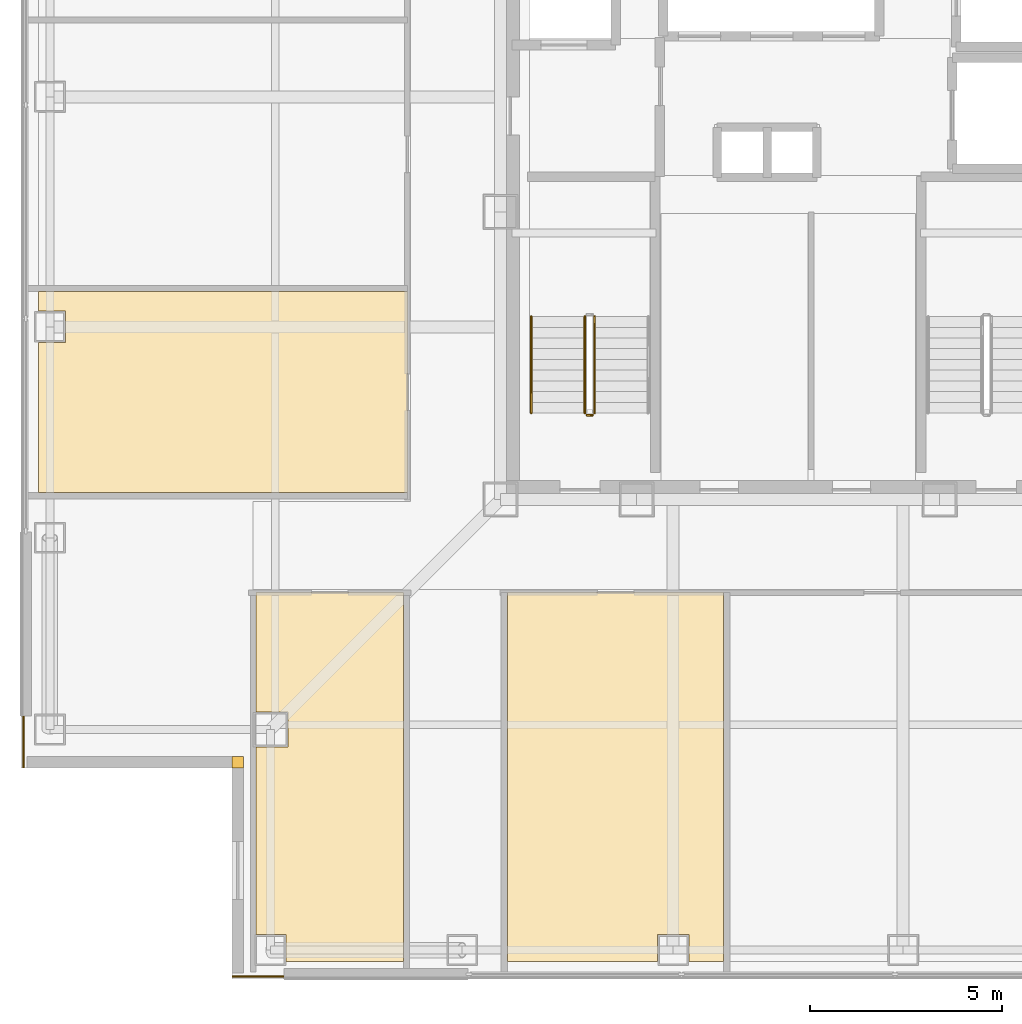
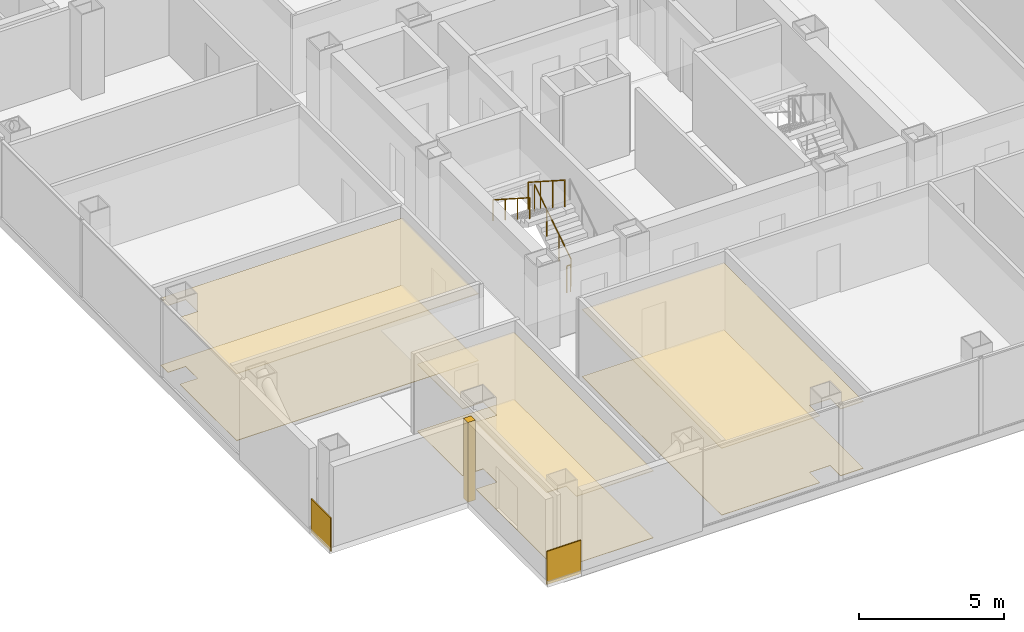
# One storey, part 12 of 17: 9 coverings, 4 railings.
"""IFC4 building model written with IfcOpenShell, lengths in metres."""

from ifc_helpers import new_model, si_unit, direction, frame, frame_2d, origin, origin_2d, place, context, subcontext, project, spatial, polyline, rectangle, circle, outline, extrude, material, layer, layer_set, type_object, element, save


model = new_model("IFC4")

# Units and contexts
model_context = context("Model", 3, precision=1e-05, world=origin(), true_north=direction((0.0, 1.0)))
body_context = subcontext(model_context, "Body", "Model", "MODEL_VIEW")
ifc_project = project(units=[si_unit("LENGTHUNIT", "METRE"), si_unit("AREAUNIT", "SQUARE_METRE"), si_unit("VOLUMEUNIT", "CUBIC_METRE"), si_unit("PLANEANGLEUNIT", "RADIAN"), si_unit("MASSUNIT", "GRAM", prefix="KILO")], contexts=[model_context])

# Site, building, storey
site_placement = place(None, origin())
site = spatial("IfcSite", under=ifc_project, at=site_placement, CompositionType="ELEMENT")
building_placement = place(site_placement, origin())
building = spatial("IfcBuilding", under=site, at=building_placement, Name="Trevonay Congress Spire", CompositionType="ELEMENT")
storey_placement = place(building_placement, frame((0.0, 0.0, 213.0)))
storey = spatial("IfcBuildingStorey", under=building, at=storey_placement, Name="L55", CompositionType="ELEMENT", Elevation=213.0)

# Coverings
ifc_material_1 = material(Name="Acoustic Mineral Fibre Board", Category="gypsum")
ifc_layer_1 = layer(ifc_material_1, 0.02490234375, Name="Acoustic Mineral Fibre Board")
ifc_layer_set_1 = layer_set([ifc_layer_1], Name="Acoustic Mineral Fibre Board")
covering_type_1 = type_object("IfcCoveringType", Name="COV-CEIL-ACOUSTIC", PredefinedType="CEILING", material=ifc_layer_set_1)
covering_1_placement = place(storey_placement, frame((0.0, 0.0, 2.81005859375)))
element("IfcCovering", 1, at=covering_1_placement, inside=storey, type_object=covering_type_1, Name="L55 Chief Risk Officer Office acoustic suspended ceiling", PredefinedType="CEILING", context=body_context, shape_type="SweptSolid", body=[
    extrude(outline(polyline([(-13.8701171875, -9.929931640625), (-10.030029296875, -9.929931640625), (-10.030029296875, -19.550048828125), (-13.090087890625, -19.550048828125), (-13.090087890625, -18.840087890625), (-13.8701171875, -18.840087890625), (-13.8701171875, -13.9599609375), (-13.0400390625, -13.9599609375), (-13.0400390625, -13.0400390625), (-13.8701171875, -13.0400390625), (-13.8701171875, -9.929931640625)])), origin(), (0.0, 0.0, 1.0), 0.02490234375),
])
covering_2_placement = place(storey_placement, frame((0.0, 0.0, 2.81005859375)))
element("IfcCovering", 2, at=covering_2_placement, inside=storey, type_object=covering_type_1, Name="L55 Fixed-Income Quant Office acoustic suspended ceiling", PredefinedType="CEILING", context=body_context, shape_type="SweptSolid", body=[
    extrude(outline(polyline([(-7.320068359375, -19.550048828125), (-7.320068359375, -9.929931640625), (-1.679931640625, -9.929931640625), (-1.679931640625, -19.550048828125), (-2.590087890625, -19.550048828125), (-2.590087890625, -18.840087890625), (-3.409912109375, -18.840087890625), (-3.409912109375, -19.550048828125), (-7.320068359375, -19.550048828125)])), origin(), (0.0, 0.0, 1.0), 0.02490234375),
])
covering_3_placement = place(storey_placement, frame((0.0, 0.0, 2.81005859375)))
element("IfcCovering", 3, at=covering_3_placement, inside=storey, type_object=covering_type_1, Name="L55 Client Briefing Room acoustic suspended ceiling", PredefinedType="CEILING", context=body_context, shape_type="SweptSolid", body=[
    extrude(outline(polyline([(-19.550048828125, -2.080078125), (-9.929931640625, -2.080078125), (-9.929931640625, -7.320068359375), (-19.550048828125, -7.320068359375), (-19.550048828125, -3.409912109375), (-18.840087890625, -3.409912109375), (-18.840087890625, -2.590087890625), (-19.550048828125, -2.590087890625), (-19.550048828125, -2.080078125)])), origin(), (0.0, 0.0, 1.0), 0.02490234375),
])
ifc_material_2 = material(Name="Engineered Oak Flooring", Category="wood")
ifc_layer_2 = layer(ifc_material_2, 0.01806640625, Name="Engineered Oak Flooring")
ifc_layer_set_2 = layer_set([ifc_layer_2], Name="Engineered Oak Flooring")
covering_type_2 = type_object("IfcCoveringType", Name="COV-FLOOR-TIMBER", PredefinedType="FLOORING", material=ifc_layer_set_2)
covering_4_placement = place(storey_placement, origin())
element("IfcCovering", 4, at=covering_4_placement, inside=storey, type_object=covering_type_2, Name="L55 Chief Risk Officer Office floor finish", PredefinedType="FLOORING", context=body_context, shape_type="SweptSolid", body=[
    extrude(outline(polyline([(-13.8701171875, -9.929931640625), (-10.030029296875, -9.929931640625), (-10.030029296875, -19.550048828125), (-13.090087890625, -19.550048828125), (-13.090087890625, -18.840087890625), (-13.8701171875, -18.840087890625), (-13.8701171875, -13.9599609375), (-13.0400390625, -13.9599609375), (-13.0400390625, -13.0400390625), (-13.8701171875, -13.0400390625), (-13.8701171875, -9.929931640625)])), origin(), (0.0, 0.0, 1.0), 0.01806640625),
])
covering_5_placement = place(storey_placement, origin())
element("IfcCovering", 5, at=covering_5_placement, inside=storey, type_object=covering_type_2, Name="L55 Fixed-Income Quant Office floor finish", PredefinedType="FLOORING", context=body_context, shape_type="SweptSolid", body=[
    extrude(outline(polyline([(-7.320068359375, -19.550048828125), (-7.320068359375, -9.929931640625), (-1.679931640625, -9.929931640625), (-1.679931640625, -19.550048828125), (-2.590087890625, -19.550048828125), (-2.590087890625, -18.840087890625), (-3.409912109375, -18.840087890625), (-3.409912109375, -19.550048828125), (-7.320068359375, -19.550048828125)])), origin(), (0.0, 0.0, 1.0), 0.01806640625),
])
covering_6_placement = place(storey_placement, origin())
element("IfcCovering", 6, at=covering_6_placement, inside=storey, type_object=covering_type_2, Name="L55 Client Briefing Room floor finish", PredefinedType="FLOORING", context=body_context, shape_type="SweptSolid", body=[
    extrude(outline(polyline([(-19.550048828125, -2.080078125), (-9.929931640625, -2.080078125), (-9.929931640625, -7.320068359375), (-19.550048828125, -7.320068359375), (-19.550048828125, -3.409912109375), (-18.840087890625, -3.409912109375), (-18.840087890625, -2.590087890625), (-19.550048828125, -2.590087890625), (-19.550048828125, -2.080078125)])), origin(), (0.0, 0.0, 1.0), 0.01806640625),
])
ifc_material_3 = material(Name="Pale Anodised Aluminium EN AW-6063-T6", Category="aluminium")
ifc_layer_3 = layer(ifc_material_3, 0.0400390625, Name="Pale Anodised Aluminium EN AW-6063-T6")
ifc_layer_set_3 = layer_set([ifc_layer_3], Name="Pale Anodised Aluminium EN AW-6063-T6")
covering_type_3 = type_object("IfcCoveringType", Name="COV-SPANDREL-PALE-METAL", PredefinedType="CLADDING", material=ifc_layer_set_3)
covering_7_placement = place(storey_placement, origin())
element("IfcCovering", 7, at=covering_7_placement, inside=storey, type_object=covering_type_3, Name="L55 SW re-entrant notch corner closure trim", PredefinedType="CLADDING", context=body_context, shape_type="SweptSolid", body=[
    extrude(outline(polyline([(-14.5, -14.5), (-14.199951171875, -14.5), (-14.199951171875, -14.199951171875), (-14.5, -14.199951171875), (-14.5, -14.5)])), origin(), (0.0, 0.0, 1.0), 3.360107421875),
])
for number, where, z_axis, x_axis, name in (
    (8, (-19.93994140625, -13.14990234375, -0.14990234375), (0.0, 0.0, 1.0), (0.0, -1.0, 0.0), "L55 SW corner pier spandrel cladding 1"),
    (9, (-13.14990234375, -19.93994140625, -0.14990234375), (0.0, 0.0, 1.0), (-1.0, 0.0, 0.0), "L55 SW corner pier spandrel cladding 2"),
):
    element("IfcCovering", number, at=place(storey_placement, frame(where, z_axis=z_axis, x_axis=x_axis)), inside=storey, type_object=covering_type_3, Name=name, PredefinedType="CLADDING", context=body_context, shape_type="SweptSolid", body=[
        extrude(rectangle(XDim=1.35009765625, YDim=0.0400390625, at=frame_2d((0.675048828125, 0.0))), origin(), (0.0, 0.0, 1.0), 1.39990234375),
    ])

# Railings
railing_type_1 = type_object("IfcRailingType", Name="RAL-STAIR-GUARD-110", PredefinedType="GUARDRAIL", material=ifc_material_3)
railing_1_placement = place(storey_placement, frame((-5.050048828125, -5.25, 0.179931640625)))
element("IfcRailing", 10, at=railing_1_placement, inside=storey, type_object=railing_type_1, Name="L55 ST-1 stair guard 1", PredefinedType="GUARDRAIL", context=body_context, shape_type="SweptSolid", body=[
    extrude(circle(Radius=0.02392578125, at=origin_2d()), frame((0.0, 0.0, 1.1259765625), z_axis=(0.0, 0.841162588446, 0.540782303519), x_axis=(-1.0, 0.0, 0.0)), (0.0, 0.0, 1.0), 2.995849609375),
    extrude(circle(Radius=0.02099609375, at=origin_2d()), origin(), (0.0, 0.0, 1.0), 1.101806640625),
    extrude(circle(Radius=0.02099609375, at=origin_2d()), frame((0.0, 0.840087890625, 0.5400390625)), (0.0, 0.0, 1.0), 1.101806640625),
    extrude(circle(Radius=0.02099609375, at=origin_2d()), frame((0.0, 1.679931640625, 1.080078125)), (0.0, 0.0, 1.0), 1.101806640625),
    extrude(circle(Radius=0.02099609375, at=origin_2d()), frame((0.0, 2.52001953125, 1.6201171875)), (0.0, 0.0, 1.0), 1.101806640625),
])
railing_2_placement = place(storey_placement, frame((-5.300048828125, -2.72998046875, 1.97998046875)))
element("IfcRailing", 11, at=railing_2_placement, inside=storey, type_object=railing_type_1, Name="L55 ST-1 stair guard 3", PredefinedType="GUARDRAIL", context=body_context, shape_type="SweptSolid", body=[
    extrude(circle(Radius=0.02392578125, at=origin_2d()), frame((0.0, 0.0, 1.1259765625), z_axis=(0.0, -0.841162588446, 0.540782303519), x_axis=(1.0, 0.0, 0.0)), (0.0, 0.0, 1.0), 2.995849609375),
    extrude(circle(Radius=0.02099609375, at=origin_2d()), origin(), (0.0, 0.0, 1.0), 1.101806640625),
    extrude(circle(Radius=0.02099609375, at=origin_2d()), frame((0.0, -0.840087890625, 0.5400390625)), (0.0, 0.0, 1.0), 1.101806640625),
    extrude(circle(Radius=0.02099609375, at=origin_2d()), frame((0.0, -1.679931640625, 1.080078125)), (0.0, 0.0, 1.0), 1.101806640625),
    extrude(circle(Radius=0.02099609375, at=origin_2d()), frame((0.0, -2.52001953125, 1.6201171875)), (0.0, 0.0, 1.0), 1.101806640625),
])
railing_3_placement = place(storey_placement, frame((-5.10009765625, -5.300048828125, 0.0)))
element("IfcRailing", 12, at=railing_3_placement, inside=storey, type_object=railing_type_1, Name="L55 ST-1 stair guard 4", PredefinedType="GUARDRAIL", context=body_context, shape_type="SweptSolid", body=[
    extrude(circle(Radius=0.02392578125, at=origin_2d()), frame((0.0, 0.0, 1.1259765625), z_axis=(-1.0, 0.0, 0.0), x_axis=(0.0, -1.0, 0.0)), (0.0, 0.0, 1.0), 0.14990234375),
    extrude(circle(Radius=0.02099609375, at=origin_2d()), origin(), (0.0, 0.0, 1.0), 1.101806640625),
    extrude(circle(Radius=0.02099609375, at=origin_2d()), frame((-0.14990234375, 0.0, 0.0)), (0.0, 0.0, 1.0), 1.101806640625),
])
railing_type_2 = type_object("IfcRailingType", Name="RAL-STAIR-HANDRAIL", PredefinedType="HANDRAIL", material=ifc_material_3)
railing_4_placement = place(storey_placement, frame((-6.699951171875, -2.72998046875, 1.97998046875)))
element("IfcRailing", 13, at=railing_4_placement, inside=storey, type_object=railing_type_2, Name="L55 ST-1 stair handrail 2", PredefinedType="HANDRAIL", context=body_context, shape_type="SweptSolid", body=[
    extrude(circle(Radius=0.02392578125, at=origin_2d()), frame((0.0, 0.0, 0.8759765625), z_axis=(0.0, -0.841162588446, 0.540782303519), x_axis=(1.0, 0.0, 0.0)), (0.0, 0.0, 1.0), 2.995849609375),
    extrude(circle(Radius=0.02099609375, at=origin_2d()), origin(), (0.0, 0.0, 1.0), 0.851806640625),
    extrude(circle(Radius=0.02099609375, at=origin_2d()), frame((0.0, -0.840087890625, 0.5400390625)), (0.0, 0.0, 1.0), 0.851806640625),
    extrude(circle(Radius=0.02099609375, at=origin_2d()), frame((0.0, -1.679931640625, 1.080078125)), (0.0, 0.0, 1.0), 0.851806640625),
    extrude(circle(Radius=0.02099609375, at=origin_2d()), frame((0.0, -2.52001953125, 1.6201171875)), (0.0, 0.0, 1.0), 0.851806640625),
])

save(model, "model.ifc")
